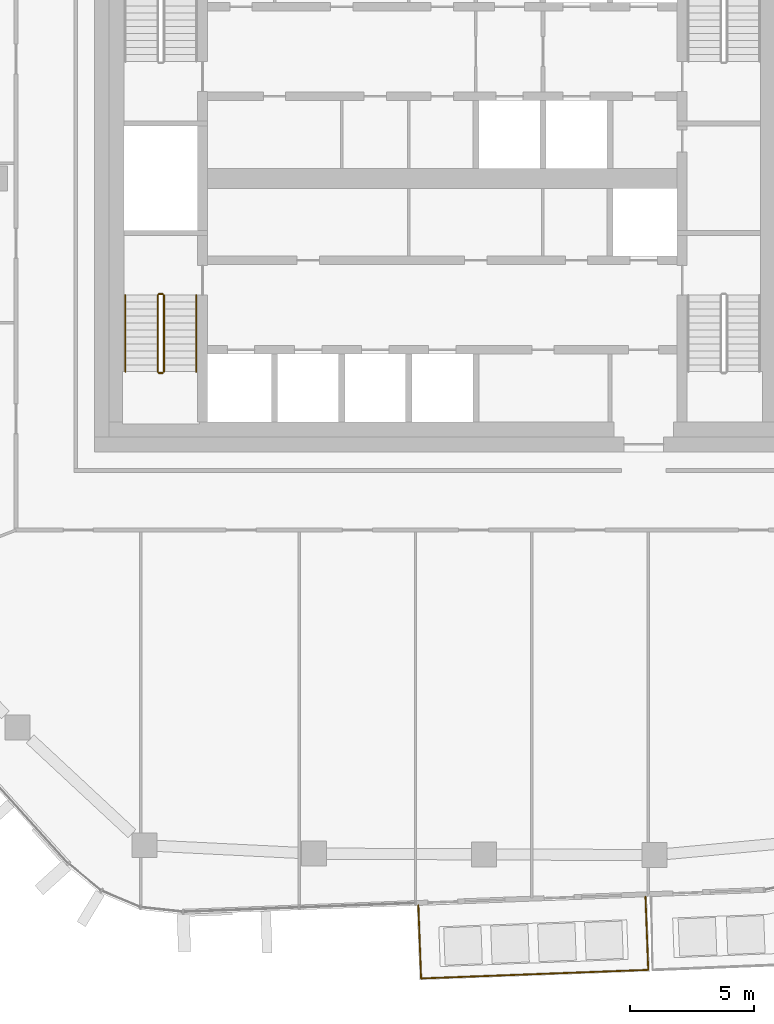
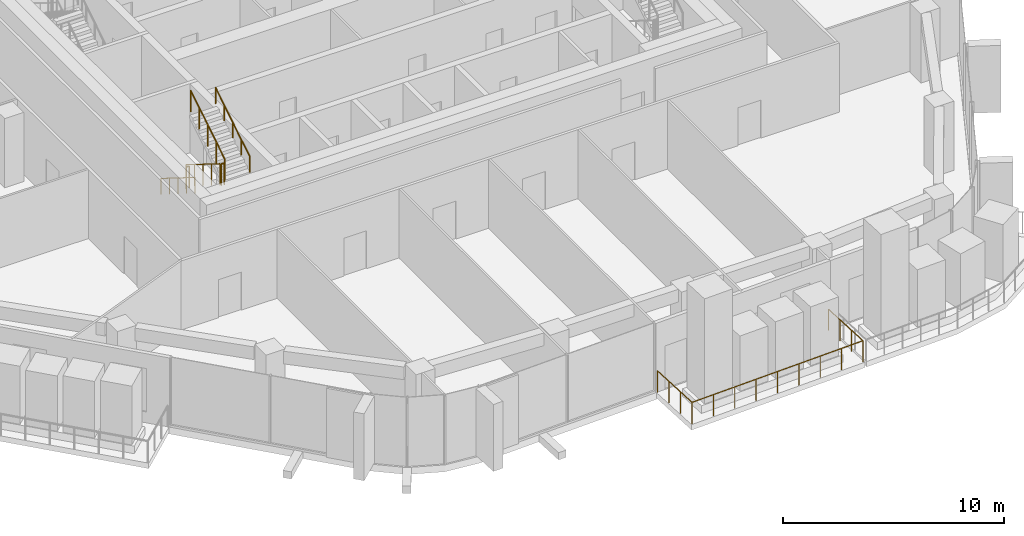
# One storey, part 19 of 23: 7 railings.
"""IFC4 building model written with IfcOpenShell, lengths in metres."""

from ifc_helpers import new_model, si_unit, direction, frame, origin, origin_2d, place, context, subcontext, project, spatial, circle, extrude, material, type_object, element, save


model = new_model("IFC4")

# Units and contexts
model_context = context("Model", 3, precision=1e-05, world=origin(), true_north=direction((0.0, 1.0)))
body_context = subcontext(model_context, "Body", "Model", "MODEL_VIEW")
ifc_project = project(units=[si_unit("LENGTHUNIT", "METRE"), si_unit("AREAUNIT", "SQUARE_METRE"), si_unit("VOLUMEUNIT", "CUBIC_METRE"), si_unit("PLANEANGLEUNIT", "RADIAN"), si_unit("MASSUNIT", "GRAM", prefix="KILO")], contexts=[model_context])

# Site, building, storey
site_placement = place(None, origin())
site = spatial("IfcSite", under=ifc_project, at=site_placement, CompositionType="ELEMENT")
building_placement = place(site_placement, origin())
building = spatial("IfcBuilding", under=site, at=building_placement, Name="Dongbaek Canopy Tower", CompositionType="ELEMENT")
storey_placement = place(building_placement, frame((0.0, 0.0, 315.199951171875)))
storey = spatial("IfcBuildingStorey", under=building, at=storey_placement, Name="L67", CompositionType="ELEMENT", Elevation=315.199951171875)

# Railings
ifc_material_1 = material(Name="Stainless steel", Category="steel")
railing_type_1 = type_object("IfcRailingType", Name="Balcony balustrade 1200", PredefinedType="BALUSTRADE", material=ifc_material_1)
railing_1_placement = place(storey_placement, frame((-0.96533203125, -29.251220703125, 0.0)))
element("IfcRailing", 1, at=railing_1_placement, inside=storey, type_object=railing_type_1, Name="Balcony guard L67 4", PredefinedType="BALUSTRADE", context=body_context, shape_type="SweptSolid", body=[
    extrude(circle(Radius=0.02392578125, at=origin_2d()), frame((0.0, 0.0, 1.17578125), z_axis=(0.037782543052, -0.999285984811, 0.0), x_axis=(0.999285984811, 0.037782543052, 0.0)), (0.0, 0.0, 1.0), 2.940185546875),
    extrude(circle(Radius=0.02392578125, at=origin_2d()), frame((0.111083984375, -2.93798828125, 1.17578125), z_axis=(0.999288287765, 0.03772158449, 0.0), x_axis=(-0.03772158449, 0.999288287765, 0.0)), (0.0, 0.0, 1.0), 9.145263671875),
    extrude(circle(Radius=0.02392578125, at=origin_2d()), frame((9.249755859375, -2.593017578125, 1.17578125), z_axis=(-0.037699622645, 0.999289116549, 0.0), x_axis=(-0.999289116549, -0.037699622645, 0.0)), (0.0, 0.0, 1.0), 2.940185546875),
    extrude(circle(Radius=0.02099609375, at=origin_2d()), origin(), (0.0, 0.0, 1.0), 1.15185546875),
    extrude(circle(Radius=0.02099609375, at=origin_2d()), frame((0.037109375, -0.979248046875, 0.0)), (0.0, 0.0, 1.0), 1.15185546875),
    extrude(circle(Radius=0.02099609375, at=origin_2d()), frame((0.073974609375, -1.958740234375, 0.0)), (0.0, 0.0, 1.0), 1.15185546875),
    extrude(circle(Radius=0.02099609375, at=origin_2d()), frame((0.111083984375, -2.93798828125, 0.0)), (0.0, 0.0, 1.0), 1.15185546875),
    extrude(circle(Radius=0.02099609375, at=origin_2d()), frame((1.25341796875, -2.894775390625, 0.0)), (0.0, 0.0, 1.0), 1.15185546875),
    extrude(circle(Radius=0.02099609375, at=origin_2d()), frame((2.395751953125, -2.851806640625, 0.0)), (0.0, 0.0, 1.0), 1.15185546875),
    extrude(circle(Radius=0.02099609375, at=origin_2d()), frame((3.5380859375, -2.80859375, 0.0)), (0.0, 0.0, 1.0), 1.15185546875),
    extrude(circle(Radius=0.02099609375, at=origin_2d()), frame((4.680419921875, -2.765625, 0.0)), (0.0, 0.0, 1.0), 1.15185546875),
    extrude(circle(Radius=0.02099609375, at=origin_2d()), frame((5.82275390625, -2.722412109375, 0.0)), (0.0, 0.0, 1.0), 1.15185546875),
    extrude(circle(Radius=0.02099609375, at=origin_2d()), frame((6.965087890625, -2.67919921875, 0.0)), (0.0, 0.0, 1.0), 1.15185546875),
    extrude(circle(Radius=0.02099609375, at=origin_2d()), frame((8.107421875, -2.63623046875, 0.0)), (0.0, 0.0, 1.0), 1.15185546875),
    extrude(circle(Radius=0.02099609375, at=origin_2d()), frame((9.249755859375, -2.593017578125, 0.0)), (0.0, 0.0, 1.0), 1.15185546875),
    extrude(circle(Radius=0.02099609375, at=origin_2d()), frame((9.212890625, -1.61376953125, 0.0)), (0.0, 0.0, 1.0), 1.15185546875),
    extrude(circle(Radius=0.02099609375, at=origin_2d()), frame((9.17578125, -0.63427734375, 0.0)), (0.0, 0.0, 1.0), 1.15185546875),
    extrude(circle(Radius=0.02099609375, at=origin_2d()), frame((9.138916015625, 0.344970703125, 0.0)), (0.0, 0.0, 1.0), 1.15185546875),
])
ifc_material_2 = material(Name="Stainless steel tube and balusters", Category="steel")
railing_type_2 = type_object("IfcRailingType", Name="Stair guard 1200", PredefinedType="GUARDRAIL", material=ifc_material_2)
railing_2_placement = place(storey_placement, frame((-11.449951171875, -4.699951171875, 0.175048828125)))
element("IfcRailing", 2, at=railing_2_placement, inside=storey, type_object=railing_type_2, Name="L67 ST-D stair guard 1", PredefinedType="GUARDRAIL", context=body_context, shape_type="SweptSolid", body=[
    extrude(circle(Radius=0.02392578125, at=origin_2d()), frame((0.0, 0.0, 1.17578125), z_axis=(0.0, -0.847998304005, 0.529998940003), x_axis=(1.0, 0.0, 0.0)), (0.0, 0.0, 1.0), 3.632080078125),
    extrude(circle(Radius=0.02099609375, at=origin_2d()), origin(), (0.0, 0.0, 1.0), 1.15185546875),
    extrude(circle(Radius=0.02099609375, at=origin_2d()), frame((0.0, -0.77001953125, 0.481201171875)), (0.0, 0.0, 1.0), 1.15185546875),
    extrude(circle(Radius=0.02099609375, at=origin_2d()), frame((0.0, -1.5400390625, 0.96240234375)), (0.0, 0.0, 1.0), 1.15185546875),
    extrude(circle(Radius=0.02099609375, at=origin_2d()), frame((0.0, -2.31005859375, 1.44384765625)), (0.0, 0.0, 1.0), 1.15185546875),
    extrude(circle(Radius=0.02099609375, at=origin_2d()), frame((0.0, -3.080078125, 1.925048828125)), (0.0, 0.0, 1.0), 1.15185546875),
])
railing_3_placement = place(storey_placement, frame((-11.39990234375, -7.830078125, 2.10009765625)))
element("IfcRailing", 3, at=railing_3_placement, inside=storey, type_object=railing_type_2, Name="L67 ST-D stair guard 2", PredefinedType="GUARDRAIL", context=body_context, shape_type="SweptSolid", body=[
    extrude(circle(Radius=0.02392578125, at=origin_2d()), frame((0.0, 0.0, 1.17578125), z_axis=(1.0, 0.0, 0.0), x_axis=(0.0, 1.0, 0.0)), (0.0, 0.0, 1.0), 0.14990234375),
    extrude(circle(Radius=0.02099609375, at=origin_2d()), origin(), (0.0, 0.0, 1.0), 1.15185546875),
    extrude(circle(Radius=0.02099609375, at=origin_2d()), frame((0.14990234375, 0.0, 0.0)), (0.0, 0.0, 1.0), 1.15185546875),
])
railing_4_placement = place(storey_placement, frame((-11.199951171875, -7.780029296875, 2.275146484375)))
element("IfcRailing", 4, at=railing_4_placement, inside=storey, type_object=railing_type_2, Name="L67 ST-D stair guard 3", PredefinedType="GUARDRAIL", context=body_context, shape_type="SweptSolid", body=[
    extrude(circle(Radius=0.02392578125, at=origin_2d()), frame((0.0, 0.0, 1.17578125), z_axis=(0.0, 0.848028513186, 0.529950602248), x_axis=(-1.0, 0.0, 0.0)), (0.0, 0.0, 1.0), 3.632080078125),
    extrude(circle(Radius=0.02099609375, at=origin_2d()), origin(), (0.0, 0.0, 1.0), 1.15185546875),
    extrude(circle(Radius=0.02099609375, at=origin_2d()), frame((0.0, 0.77001953125, 0.481201171875)), (0.0, 0.0, 1.0), 1.15185546875),
    extrude(circle(Radius=0.02099609375, at=origin_2d()), frame((0.0, 1.5400390625, 0.96240234375)), (0.0, 0.0, 1.0), 1.15185546875),
    extrude(circle(Radius=0.02099609375, at=origin_2d()), frame((0.0, 2.31005859375, 1.443603515625)), (0.0, 0.0, 1.0), 1.15185546875),
    extrude(circle(Radius=0.02099609375, at=origin_2d()), frame((0.0, 3.080078125, 1.9248046875)), (0.0, 0.0, 1.0), 1.15185546875),
])
railing_5_placement = place(storey_placement, frame((-11.39990234375, -4.64990234375, 0.0)))
element("IfcRailing", 5, at=railing_5_placement, inside=storey, type_object=railing_type_2, Name="L67 ST-D stair guard 4", PredefinedType="GUARDRAIL", context=body_context, shape_type="SweptSolid", body=[
    extrude(circle(Radius=0.02392578125, at=origin_2d()), frame((0.0, 0.0, 1.17578125), z_axis=(1.0, 0.0, 0.0), x_axis=(0.0, 1.0, 0.0)), (0.0, 0.0, 1.0), 0.14990234375),
    extrude(circle(Radius=0.02099609375, at=origin_2d()), origin(), (0.0, 0.0, 1.0), 1.15185546875),
    extrude(circle(Radius=0.02099609375, at=origin_2d()), frame((0.14990234375, 0.0, 0.0)), (0.0, 0.0, 1.0), 1.15185546875),
])
ifc_material_3 = material(Name="Stainless steel tube", Category="steel")
railing_type_3 = type_object("IfcRailingType", Name="Stair handrail 900", PredefinedType="HANDRAIL", material=ifc_material_3)
railing_6_placement = place(storey_placement, frame((-12.75, -4.699951171875, 0.175048828125)))
element("IfcRailing", 6, at=railing_6_placement, inside=storey, type_object=railing_type_3, Name="L67 ST-D stair handrail 1", PredefinedType="HANDRAIL", context=body_context, shape_type="SweptSolid", body=[
    extrude(circle(Radius=0.02392578125, at=origin_2d()), frame((0.0, 0.0, 0.8759765625), z_axis=(0.0, -0.847998304005, 0.529998940003), x_axis=(1.0, 0.0, 0.0)), (0.0, 0.0, 1.0), 3.632080078125),
    extrude(circle(Radius=0.02099609375, at=origin_2d()), origin(), (0.0, 0.0, 1.0), 0.851806640625),
    extrude(circle(Radius=0.02099609375, at=origin_2d()), frame((0.0, -0.77001953125, 0.481201171875)), (0.0, 0.0, 1.0), 0.851806640625),
    extrude(circle(Radius=0.02099609375, at=origin_2d()), frame((0.0, -1.5400390625, 0.96240234375)), (0.0, 0.0, 1.0), 0.851806640625),
    extrude(circle(Radius=0.02099609375, at=origin_2d()), frame((0.0, -2.31005859375, 1.44384765625)), (0.0, 0.0, 1.0), 0.851806640625),
    extrude(circle(Radius=0.02099609375, at=origin_2d()), frame((0.0, -3.080078125, 1.925048828125)), (0.0, 0.0, 1.0), 0.851806640625),
])
railing_7_placement = place(storey_placement, frame((-9.89990234375, -7.780029296875, 2.275146484375)))
element("IfcRailing", 7, at=railing_7_placement, inside=storey, type_object=railing_type_3, Name="L67 ST-D stair handrail 2", PredefinedType="HANDRAIL", context=body_context, shape_type="SweptSolid", body=[
    extrude(circle(Radius=0.02392578125, at=origin_2d()), frame((0.0, 0.0, 0.8759765625), z_axis=(0.0, 0.848028513186, 0.529950602248), x_axis=(-1.0, 0.0, 0.0)), (0.0, 0.0, 1.0), 3.632080078125),
    extrude(circle(Radius=0.02099609375, at=origin_2d()), origin(), (0.0, 0.0, 1.0), 0.851806640625),
    extrude(circle(Radius=0.02099609375, at=origin_2d()), frame((0.0, 0.77001953125, 0.481201171875)), (0.0, 0.0, 1.0), 0.851806640625),
    extrude(circle(Radius=0.02099609375, at=origin_2d()), frame((0.0, 1.5400390625, 0.96240234375)), (0.0, 0.0, 1.0), 0.851806640625),
    extrude(circle(Radius=0.02099609375, at=origin_2d()), frame((0.0, 2.31005859375, 1.443603515625)), (0.0, 0.0, 1.0), 0.851806640625),
    extrude(circle(Radius=0.02099609375, at=origin_2d()), frame((0.0, 3.080078125, 1.9248046875)), (0.0, 0.0, 1.0), 0.851806640625),
])

save(model, "model.ifc")
